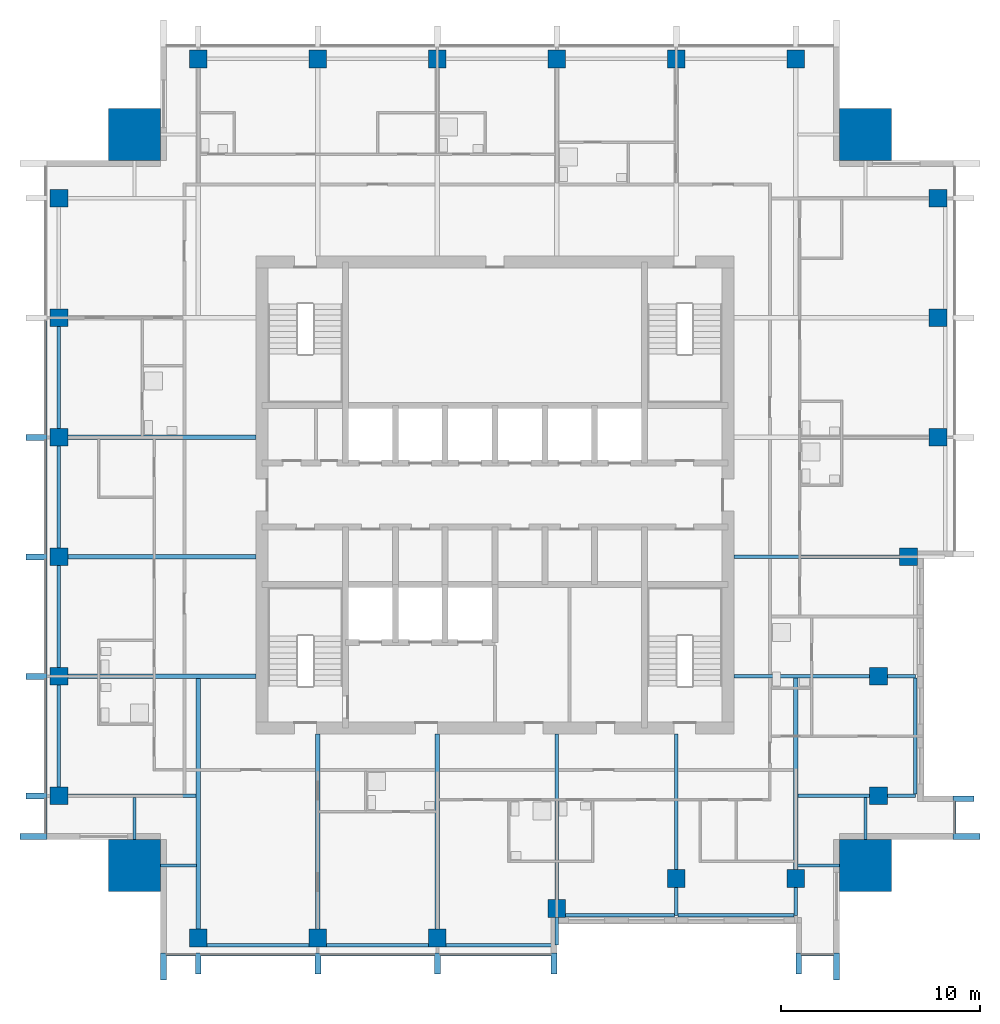
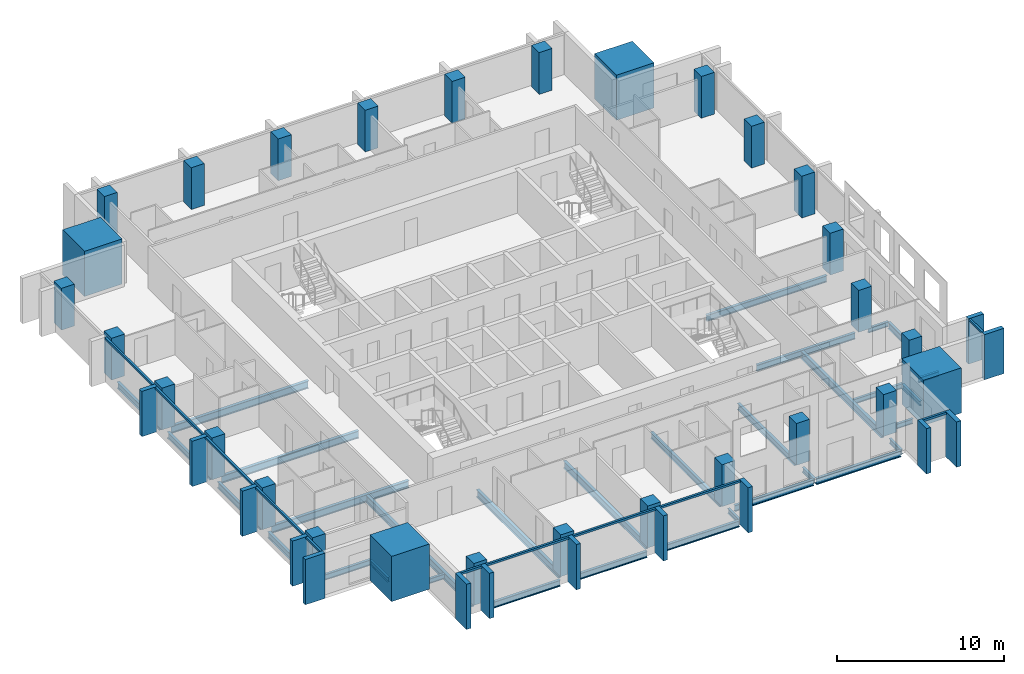
# One storey, part 1 of 11: 32 beams, 28 columns, 25 members, 4 elements without a shape of their own.
"""IFC4 building model written with IfcOpenShell, lengths in metres."""

from ifc_helpers import new_model, si_unit, direction, frame, origin, origin_2d, place, context, subcontext, project, spatial, rectangle, i_section, extrude, material, material_profile, profile_set, type_object, element, aggregate, save


model = new_model("IFC4")

# Units and contexts
model_context = context("Model", 3, precision=1e-05, world=origin(), true_north=direction((0.0, 1.0)))
body_context = subcontext(model_context, "Body", "Model", "MODEL_VIEW")
ifc_project = project(units=[si_unit("LENGTHUNIT", "METRE"), si_unit("AREAUNIT", "SQUARE_METRE"), si_unit("VOLUMEUNIT", "CUBIC_METRE"), si_unit("PLANEANGLEUNIT", "RADIAN"), si_unit("MASSUNIT", "GRAM", prefix="KILO")], contexts=[model_context])

# Site, building, storey
site_placement = place(None, origin())
site = spatial("IfcSite", under=ifc_project, at=site_placement, CompositionType="ELEMENT")
building_placement = place(site_placement, origin())
building = spatial("IfcBuilding", under=site, at=building_placement, Name="Amberfall Residences", CompositionType="ELEMENT")
storey_placement = place(building_placement, frame((0.0, 0.0, 223.300048828125)))
storey = spatial("IfcBuildingStorey", under=building, at=storey_placement, Name="L60", CompositionType="ELEMENT", Elevation=223.300048828125)

# Columns
ifc_material_1 = material(Name="Concrete C55", Category="concrete")
ifc_material_profile_1 = material_profile(ifc_material_1, rectangle(XDim=0.89990234375, YDim=0.89990234375, at=origin_2d()), Name="Column 900 x 900 C55")
ifc_profile_set_1 = profile_set([ifc_material_profile_1], Name="Concrete C55")
column_type_1 = type_object("IfcColumnType", Name="Column 900 x 900 C55", PredefinedType="COLUMN", material=ifc_profile_set_1)
for number, where, z_axis, x_axis, name in (
    (1, (59.60009765625, 23.25, 0.0), (0.0, 0.0, 1.0), (1.0, 0.0, 0.0), "Column C4 L60 S1"),
    (2, (65.60009765625, 23.25, 0.0), (0.0, 0.0, 1.0), (1.0, 0.0, 0.0), "Column C4 L60 S2"),
    (3, (71.60009765625, 23.25, 0.0), (0.0, 0.0, 1.0), (1.0, 0.0, 0.0), "Column C4 L60 S3"),
    (4, (77.60009765625, 24.75, 0.0), (0.0, 0.0, 1.0), (1.0, 0.0, 0.0), "Column C4 L60 S4"),
    (5, (83.60009765625, 26.25, 0.0), (0.0, 0.0, 1.0), (1.0, 0.0, 0.0), "Column C4 L60 S5"),
    (6, (89.60009765625, 26.25, 0.0), (0.0, 0.0, 1.0), (1.0, 0.0, 0.0), "Column C4 L60 S6"),
    (7, (93.75, 30.39990234375, 0.0), (0.0, 0.0, 1.0), (1.0, 0.0, 0.0), "Column C4 L60 E1"),
    (8, (93.75, 36.39990234375, 0.0), (0.0, 0.0, 1.0), (1.0, 0.0, 0.0), "Column C4 L60 E2"),
    (9, (95.25, 42.39990234375, 0.0), (0.0, 0.0, 1.0), (1.0, 0.0, 0.0), "Column C4 L60 E3"),
    (10, (96.75, 48.39990234375, 0.0), (0.0, 0.0, 1.0), (1.0, 0.0, 0.0), "Column C4 L60 E4"),
    (11, (96.75, 54.39990234375, 0.0), (0.0, 0.0, 1.0), (1.0, 0.0, 0.0), "Column C4 L60 E5"),
    (12, (96.75, 60.39990234375, 0.0), (0.0, 0.0, 1.0), (1.0, 0.0, 0.0), "Column C4 L60 E6"),
    (13, (59.60009765625, 67.39990234375, 0.0), (0.0, 0.0, 1.0), (1.0, 0.0, 0.0), "Column C4 L60 N1"),
    (14, (65.60009765625, 67.39990234375, 0.0), (0.0, 0.0, 1.0), (1.0, 0.0, 0.0), "Column C4 L60 N2"),
    (15, (71.60009765625, 67.39990234375, 0.0), (0.0, 0.0, 1.0), (1.0, 0.0, 0.0), "Column C4 L60 N3"),
    (16, (77.60009765625, 67.39990234375, 0.0), (0.0, 0.0, 1.0), (1.0, 0.0, 0.0), "Column C4 L60 N4"),
    (17, (83.60009765625, 67.39990234375, 0.0), (0.0, 0.0, 1.0), (1.0, 0.0, 0.0), "Column C4 L60 N5"),
    (18, (89.60009765625, 67.39990234375, 0.0), (0.0, 0.0, 1.0), (1.0, 0.0, 0.0), "Column C4 L60 N6"),
    (19, (52.60009765625, 30.39990234375, 0.0), (0.0, 0.0, 1.0), (1.0, 0.0, 0.0), "Column C4 L60 W1"),
    (20, (52.60009765625, 36.39990234375, 0.0), (0.0, 0.0, 1.0), (1.0, 0.0, 0.0), "Column C4 L60 W2"),
    (21, (52.60009765625, 42.39990234375, 0.0), (0.0, 0.0, 1.0), (1.0, 0.0, 0.0), "Column C4 L60 W3"),
    (22, (52.60009765625, 48.39990234375, 0.0), (0.0, 0.0, 1.0), (1.0, 0.0, 0.0), "Column C4 L60 W4"),
    (23, (52.60009765625, 54.39990234375, 0.0), (0.0, 0.0, 1.0), (1.0, 0.0, 0.0), "Column C4 L60 W5"),
    (24, (52.60009765625, 60.39990234375, 0.0), (0.0, 0.0, 1.0), (1.0, 0.0, 0.0), "Column C4 L60 W6"),
):
    element("IfcColumn", number, at=place(storey_placement, frame(where, z_axis=z_axis, x_axis=x_axis)), inside=storey, type_object=column_type_1, Name=name, PredefinedType="COLUMN", context=body_context, shape_type="SweptSolid", body=[
        extrude(rectangle(XDim=0.89990234375, YDim=0.89990234375, at=origin_2d()), origin(), (0.0, 0.0, 1.0), 3.050048828125),
    ])
ifc_material_profile_2 = material_profile(ifc_material_1, rectangle(XDim=2.60009765625, YDim=2.60009765625, at=origin_2d()), Name="Mega column 2600 x 2600 C55")
ifc_profile_set_2 = profile_set([ifc_material_profile_2], Name="Concrete C55")
column_type_2 = type_object("IfcColumnType", Name="Mega column 2600 x 2600 C55", PredefinedType="COLUMN", material=ifc_profile_set_2)
for number, where, z_axis, x_axis, name in (
    (25, (56.39990234375, 26.89990234375, 0.0), (0.0, 0.0, 1.0), (1.0, 0.0, 0.0), "Mega column MC8 L60 SW"),
    (26, (93.10009765625, 26.89990234375, 0.0), (0.0, 0.0, 1.0), (1.0, 0.0, 0.0), "Mega column MC8 L60 SE"),
    (27, (93.10009765625, 63.60009765625, 0.0), (0.0, 0.0, 1.0), (1.0, 0.0, 0.0), "Mega column MC8 L60 NE"),
    (28, (56.39990234375, 63.60009765625, 0.0), (0.0, 0.0, 1.0), (1.0, 0.0, 0.0), "Mega column MC8 L60 NW"),
):
    element("IfcColumn", number, at=place(storey_placement, frame(where, z_axis=z_axis, x_axis=x_axis)), inside=storey, type_object=column_type_2, Name=name, PredefinedType="COLUMN", context=body_context, shape_type="SweptSolid", body=[
        extrude(rectangle(XDim=2.60009765625, YDim=2.60009765625, at=origin_2d()), origin(), (0.0, 0.0, 1.0), 3.300048828125),
    ])

# Curtain wall, members
ifc_material_2 = material(Name="Bronze anodised aluminium and glass", Category="aluminium")
curtain_wall_type = type_object("IfcCurtainWallType", Name="Curtain wall CW1 tower unit", PredefinedType="USERDEFINED", material=ifc_material_2)
curtain_wall_1_placement = place(storey_placement, origin())
curtain_wall_1 = element("IfcCurtainWall", 29, at=curtain_wall_1_placement, inside=storey, type_object=curtain_wall_type, Name="Curtain wall L60 S S1", ObjectType="UNITISED CURTAIN WALL", PredefinedType="USERDEFINED")
ifc_material_3 = material(Name="Bronze anodised aluminium", Category="aluminium")
ifc_material_profile_3 = material_profile(ifc_material_3, rectangle(XDim=0.14990234375, YDim=0.14990234375, at=origin_2d()), Name="CW1 transom 150 x 150 bronze")
ifc_profile_set_3 = profile_set([ifc_material_profile_3], Name="Bronze anodised aluminium")
member_type_1 = type_object("IfcMemberType", Name="CW1 transom 150 x 150 bronze", PredefinedType="USERDEFINED", material=ifc_profile_set_3)
member_1_placement = place(storey_placement, frame((58.0, 22.425048828125, 2.974853515625), z_axis=(1.0, 0.0, 0.0), x_axis=(0.0, 1.0, 0.0)))
member_1 = element("IfcMember", 30, at=member_1_placement, type_object=member_type_1, Name="CW1 transom 1.1", ObjectType="TRANSOM", PredefinedType="USERDEFINED", context=body_context, shape_type="SweptSolid", body=[
    extrude(rectangle(XDim=0.14990234375, YDim=0.14990234375, at=origin_2d()), origin(), (0.0, 0.0, 1.0), 1.449951171875),
])
member_2_placement = place(storey_placement, frame((59.75, 22.425048828125, 2.974853515625), z_axis=(1.0, 0.0, 0.0), x_axis=(0.0, 1.0, 0.0)))
member_2 = element("IfcMember", 31, at=member_2_placement, type_object=member_type_1, Name="CW1 transom 2.1", ObjectType="TRANSOM", PredefinedType="USERDEFINED", context=body_context, shape_type="SweptSolid", body=[
    extrude(rectangle(XDim=0.14990234375, YDim=0.14990234375, at=origin_2d()), origin(), (0.0, 0.0, 1.0), 5.699951171875),
])
member_3_placement = place(storey_placement, frame((65.75, 22.425048828125, 2.974853515625), z_axis=(1.0, 0.0, 0.0), x_axis=(0.0, 1.0, 0.0)))
member_3 = element("IfcMember", 32, at=member_3_placement, type_object=member_type_1, Name="CW1 transom 3.1", ObjectType="TRANSOM", PredefinedType="USERDEFINED", context=body_context, shape_type="SweptSolid", body=[
    extrude(rectangle(XDim=0.14990234375, YDim=0.14990234375, at=origin_2d()), origin(), (0.0, 0.0, 1.0), 5.699951171875),
])
member_4_placement = place(storey_placement, frame((71.75, 22.425048828125, 2.974853515625), z_axis=(1.0, 0.0, 0.0), x_axis=(0.0, 1.0, 0.0)))
member_4 = element("IfcMember", 33, at=member_4_placement, type_object=member_type_1, Name="CW1 transom 4.1", ObjectType="TRANSOM", PredefinedType="USERDEFINED", context=body_context, shape_type="SweptSolid", body=[
    extrude(rectangle(XDim=0.14990234375, YDim=0.14990234375, at=origin_2d()), origin(), (0.0, 0.0, 1.0), 5.550048828125),
])

# Curtain wall, member
curtain_wall_2_placement = place(storey_placement, origin())
curtain_wall_2 = element("IfcCurtainWall", 34, at=curtain_wall_2_placement, inside=storey, type_object=curtain_wall_type, Name="Curtain wall L60 S S6", ObjectType="UNITISED CURTAIN WALL", PredefinedType="USERDEFINED")
member_5_placement = place(storey_placement, frame((89.89990234375, 22.425048828125, 2.974853515625), z_axis=(1.0, 0.0, 0.0), x_axis=(0.0, 1.0, 0.0)))
member_5 = element("IfcMember", 35, at=member_5_placement, type_object=member_type_1, Name="CW1 transom 1.1", ObjectType="TRANSOM", PredefinedType="USERDEFINED", context=body_context, shape_type="SweptSolid", body=[
    extrude(rectangle(XDim=0.14990234375, YDim=0.14990234375, at=origin_2d()), origin(), (0.0, 0.0, 1.0), 1.60009765625),
])

curtain_wall_3_placement = place(storey_placement, origin())
curtain_wall_3 = element("IfcCurtainWall", 36, at=curtain_wall_3_placement, inside=storey, type_object=curtain_wall_type, Name="Curtain wall L60 E E1", ObjectType="UNITISED CURTAIN WALL", PredefinedType="USERDEFINED")
member_6_placement = place(storey_placement, frame((97.574951171875, 28.5, 2.974853515625), z_axis=(0.0, 1.0, 0.0), x_axis=(-1.0, 0.0, 0.0)))
member_6 = element("IfcMember", 37, at=member_6_placement, type_object=member_type_1, Name="CW1 transom 1.1", ObjectType="TRANSOM", PredefinedType="USERDEFINED", context=body_context, shape_type="SweptSolid", body=[
    extrude(rectangle(XDim=0.14990234375, YDim=0.14990234375, at=origin_2d()), origin(), (0.0, 0.0, 1.0), 1.60009765625),
])

# Curtain wall, members
curtain_wall_4_placement = place(storey_placement, origin())
curtain_wall_4 = element("IfcCurtainWall", 38, at=curtain_wall_4_placement, inside=storey, type_object=curtain_wall_type, Name="Curtain wall L60 W W1", ObjectType="UNITISED CURTAIN WALL", PredefinedType="USERDEFINED")
member_7_placement = place(storey_placement, frame((51.925048828125, 54.25, 2.974853515625), z_axis=(0.0, -1.0, 0.0), x_axis=(1.0, 0.0, 0.0)))
member_7 = element("IfcMember", 39, at=member_7_placement, type_object=member_type_1, Name="CW1 transom 3.1", ObjectType="TRANSOM", PredefinedType="USERDEFINED", context=body_context, shape_type="SweptSolid", body=[
    extrude(rectangle(XDim=0.14990234375, YDim=0.14990234375, at=origin_2d()), origin(), (0.0, 0.0, 1.0), 5.699951171875),
])
member_8_placement = place(storey_placement, frame((51.925048828125, 48.25, 2.974853515625), z_axis=(0.0, -1.0, 0.0), x_axis=(1.0, 0.0, 0.0)))
member_8 = element("IfcMember", 40, at=member_8_placement, type_object=member_type_1, Name="CW1 transom 4.1", ObjectType="TRANSOM", PredefinedType="USERDEFINED", context=body_context, shape_type="SweptSolid", body=[
    extrude(rectangle(XDim=0.14990234375, YDim=0.14990234375, at=origin_2d()), origin(), (0.0, 0.0, 1.0), 5.699951171875),
])
member_9_placement = place(storey_placement, frame((51.925048828125, 42.25, 2.974853515625), z_axis=(0.0, -1.0, 0.0), x_axis=(1.0, 0.0, 0.0)))
member_9 = element("IfcMember", 41, at=member_9_placement, type_object=member_type_1, Name="CW1 transom 5.1", ObjectType="TRANSOM", PredefinedType="USERDEFINED", context=body_context, shape_type="SweptSolid", body=[
    extrude(rectangle(XDim=0.14990234375, YDim=0.14990234375, at=origin_2d()), origin(), (0.0, 0.0, 1.0), 5.699951171875),
])
member_10_placement = place(storey_placement, frame((51.925048828125, 36.25, 2.974853515625), z_axis=(0.0, -1.0, 0.0), x_axis=(1.0, 0.0, 0.0)))
member_10 = element("IfcMember", 42, at=member_10_placement, type_object=member_type_1, Name="CW1 transom 6.1", ObjectType="TRANSOM", PredefinedType="USERDEFINED", context=body_context, shape_type="SweptSolid", body=[
    extrude(rectangle(XDim=0.14990234375, YDim=0.14990234375, at=origin_2d()), origin(), (0.0, 0.0, 1.0), 5.699951171875),
])
member_11_placement = place(storey_placement, frame((51.925048828125, 30.25, 2.974853515625), z_axis=(0.0, -1.0, 0.0), x_axis=(1.0, 0.0, 0.0)))
member_11 = element("IfcMember", 43, at=member_11_placement, type_object=member_type_1, Name="CW1 transom 7.1", ObjectType="TRANSOM", PredefinedType="USERDEFINED", context=body_context, shape_type="SweptSolid", body=[
    extrude(rectangle(XDim=0.14990234375, YDim=0.14990234375, at=origin_2d()), origin(), (0.0, 0.0, 1.0), 1.75),
])

# Beams
ifc_material_4 = material(Name="Steel S355", Category="steel")
ifc_material_profile_4 = material_profile(ifc_material_4, i_section(OverallWidth=0.171142578125, OverallDepth=0.351318359375, WebThickness=0.007080078125, FlangeThickness=0.009765625, FilletRadius=0.01025390625, at=origin_2d()), Name="UB 356x171x45")
ifc_profile_set_4 = profile_set([ifc_material_profile_4], Name="Steel S355")
beam_type_1 = type_object("IfcBeamType", Name="Cantilever girder UB 356x171x45", PredefinedType="BEAM", material=ifc_profile_set_4)
for number, where, z_axis, x_axis, name in (
    (44, (77.60009765625, 24.300048828125, -0.42578125), (0.0, -1.0, 0.0), (1.0, 0.0, 0.0), "Cantilever girder B8 L60 06"),
    (45, (83.60009765625, 25.800048828125, -0.42578125), (0.0, -1.0, 0.0), (1.0, 0.0, 0.0), "Cantilever girder B8 L60 07"),
    (46, (89.60009765625, 25.800048828125, -0.42578125), (0.0, -1.0, 0.0), (1.0, 0.0, 0.0), "Cantilever girder B8 L60 08"),
    (47, (94.199951171875, 30.39990234375, -0.42578125), (1.0, 0.0, 0.0), (0.0, 1.0, 0.0), "Cantilever girder B8 L60 20"),
    (48, (94.199951171875, 36.39990234375, -0.42578125), (1.0, 0.0, 0.0), (0.0, 1.0, 0.0), "Cantilever girder B8 L60 21"),
):
    element("IfcBeam", number, at=place(storey_placement, frame(where, z_axis=z_axis, x_axis=x_axis)), inside=storey, type_object=beam_type_1, Name=name, PredefinedType="BEAM", context=body_context, shape_type="SweptSolid", body=[
        extrude(i_section(OverallWidth=0.171142578125, OverallDepth=0.351318359375, WebThickness=0.007080078125, FlangeThickness=0.009765625, FilletRadius=0.01025390625, at=origin_2d()), origin(), (0.0, 0.0, 1.0), 1.400146484375),
    ])

# Member
ifc_material_profile_5 = material_profile(ifc_material_3, rectangle(XDim=1.35009765625, YDim=0.300048828125, at=origin_2d()), Name="Corner fin 300 x 1350 bronze")
ifc_profile_set_5 = profile_set([ifc_material_profile_5], Name="Bronze anodised aluminium")
member_type_2 = type_object("IfcMemberType", Name="Corner fin 300 x 1350 bronze", PredefinedType="MULLION", material=ifc_profile_set_5)
member_12_placement = place(storey_placement, frame((57.85009765625, 21.824951171875, -0.25), z_axis=(0.0, 0.0, 1.0), x_axis=(0.0, 1.0, 0.0)))
member_12 = element("IfcMember", 49, at=member_12_placement, type_object=member_type_2, Name="CW FIN 1", PredefinedType="MULLION", context=body_context, shape_type="SweptSolid", body=[
    extrude(rectangle(XDim=1.35009765625, YDim=0.300048828125, at=origin_2d()), origin(), (0.0, 0.0, 1.0), 3.300048828125),
])

member_13_placement = place(storey_placement, frame((91.64990234375, 21.824951171875, -0.25), z_axis=(0.0, 0.0, 1.0), x_axis=(0.0, 1.0, 0.0)))
member_13 = element("IfcMember", 50, at=member_13_placement, type_object=member_type_2, Name="CW FIN 2", PredefinedType="MULLION", context=body_context, shape_type="SweptSolid", body=[
    extrude(rectangle(XDim=1.35009765625, YDim=0.300048828125, at=origin_2d()), origin(), (0.0, 0.0, 1.0), 3.300048828125),
])

member_14_placement = place(storey_placement, frame((98.175048828125, 28.35009765625, -0.25), z_axis=(0.0, 0.0, 1.0), x_axis=(-1.0, 0.0, 0.0)))
member_14 = element("IfcMember", 51, at=member_14_placement, type_object=member_type_2, Name="CW FIN 1", PredefinedType="MULLION", context=body_context, shape_type="SweptSolid", body=[
    extrude(rectangle(XDim=1.35009765625, YDim=0.300048828125, at=origin_2d()), origin(), (0.0, 0.0, 1.0), 3.300048828125),
])

member_15_placement = place(storey_placement, frame((51.324951171875, 28.35009765625, -0.25), z_axis=(0.0, 0.0, 1.0), x_axis=(1.0, 0.0, 0.0)))
member_15 = element("IfcMember", 52, at=member_15_placement, type_object=member_type_2, Name="CW FIN 8", PredefinedType="MULLION", context=body_context, shape_type="SweptSolid", body=[
    extrude(rectangle(XDim=1.35009765625, YDim=0.300048828125, at=origin_2d()), origin(), (0.0, 0.0, 1.0), 3.300048828125),
])

# Beams
ifc_material_profile_6 = material_profile(ifc_material_4, i_section(OverallWidth=0.18994140625, OverallDepth=0.453369140625, WebThickness=0.008544921875, FlangeThickness=0.0126953125, FilletRadius=0.01025390625, at=origin_2d()), Name="UB 457x191x67")
ifc_profile_set_6 = profile_set([ifc_material_profile_6], Name="Steel S355")
beam_type_2 = type_object("IfcBeamType", Name="Edge beam UB 457x191x67", PredefinedType="SPANDREL", material=ifc_profile_set_6)
for number, where, z_axis, x_axis, name in (
    (53, (60.050048828125, 22.89990234375, -0.476806640625), (1.0, 0.0, 0.0), (0.0, 1.0, 0.0), "Edge beam B1 L60 01"),
    (54, (66.050048828125, 22.89990234375, -0.476806640625), (1.0, 0.0, 0.0), (0.0, 1.0, 0.0), "Edge beam B1 L60 02"),
):
    element("IfcBeam", number, at=place(storey_placement, frame(where, z_axis=z_axis, x_axis=x_axis)), inside=storey, type_object=beam_type_2, Name=name, PredefinedType="SPANDREL", context=body_context, shape_type="SweptSolid", body=[
        extrude(i_section(OverallWidth=0.18994140625, OverallDepth=0.453369140625, WebThickness=0.008544921875, FlangeThickness=0.0126953125, FilletRadius=0.01025390625, at=origin_2d()), origin(), (0.0, 0.0, 1.0), 5.099853515625),
    ])
for number, where, z_axis, x_axis, name in (
    (55, (72.050048828125, 22.89990234375, -0.476806640625), (1.0, 0.0, 0.0), (0.0, 1.0, 0.0), "Edge beam B1 L60 03"),
    (56, (78.050048828125, 24.39990234375, -0.476806640625), (1.0, 0.0, 0.0), (0.0, 1.0, 0.0), "Edge beam B1 L60 04"),
):
    element("IfcBeam", number, at=place(storey_placement, frame(where, z_axis=z_axis, x_axis=x_axis)), inside=storey, type_object=beam_type_2, Name=name, PredefinedType="SPANDREL", context=body_context, shape_type="SweptSolid", body=[
        extrude(i_section(OverallWidth=0.18994140625, OverallDepth=0.453369140625, WebThickness=0.008544921875, FlangeThickness=0.0126953125, FilletRadius=0.01025390625, at=origin_2d()), origin(), (0.0, 0.0, 1.0), 5.469970703125),
    ])
for number, where, z_axis, x_axis, name in (
    (57, (83.679931640625, 24.39990234375, -0.476806640625), (1.0, 0.0, 0.0), (0.0, 1.0, 0.0), "Edge beam B1 L60 05"),
    (58, (95.60009765625, 30.47998046875, -0.476806640625), (0.0, 1.0, 0.0), (-1.0, 0.0, 0.0), "Edge beam B1 L60 15"),
):
    element("IfcBeam", number, at=place(storey_placement, frame(where, z_axis=z_axis, x_axis=x_axis)), inside=storey, type_object=beam_type_2, Name=name, PredefinedType="SPANDREL", context=body_context, shape_type="SweptSolid", body=[
        extrude(i_section(OverallWidth=0.18994140625, OverallDepth=0.453369140625, WebThickness=0.008544921875, FlangeThickness=0.0126953125, FilletRadius=0.01025390625, at=origin_2d()), origin(), (0.0, 0.0, 1.0), 5.840087890625),
    ])
for number, where, z_axis, x_axis, name in (
    (59, (52.60009765625, 30.85009765625, -0.476806640625), (0.0, 1.0, 0.0), (-1.0, 0.0, 0.0), "Edge beam B1 L60 40"),
    (60, (52.60009765625, 36.85009765625, -0.476806640625), (0.0, 1.0, 0.0), (-1.0, 0.0, 0.0), "Edge beam B1 L60 41"),
    (61, (52.60009765625, 42.85009765625, -0.476806640625), (0.0, 1.0, 0.0), (-1.0, 0.0, 0.0), "Edge beam B1 L60 42"),
    (62, (52.60009765625, 48.85009765625, -0.476806640625), (0.0, 1.0, 0.0), (-1.0, 0.0, 0.0), "Edge beam B1 L60 43"),
):
    element("IfcBeam", number, at=place(storey_placement, frame(where, z_axis=z_axis, x_axis=x_axis)), inside=storey, type_object=beam_type_2, Name=name, PredefinedType="SPANDREL", context=body_context, shape_type="SweptSolid", body=[
        extrude(i_section(OverallWidth=0.18994140625, OverallDepth=0.453369140625, WebThickness=0.008544921875, FlangeThickness=0.0126953125, FilletRadius=0.01025390625, at=origin_2d()), origin(), (0.0, 0.0, 1.0), 5.099853515625),
    ])

# Member
ifc_material_profile_7 = material_profile(ifc_material_3, rectangle(XDim=1.050048828125, YDim=0.300048828125, at=origin_2d()), Name="Fin 300 x 1050 bronze")
ifc_profile_set_7 = profile_set([ifc_material_profile_7], Name="Bronze anodised aluminium")
member_type_3 = type_object("IfcMemberType", Name="Fin 300 x 1050 bronze", PredefinedType="MULLION", material=ifc_profile_set_7)
member_16_placement = place(storey_placement, frame((59.60009765625, 21.97509765625, -0.25), z_axis=(0.0, 0.0, 1.0), x_axis=(0.0, 1.0, 0.0)))
member_16 = element("IfcMember", 63, at=member_16_placement, type_object=member_type_3, Name="CW FIN 2", PredefinedType="MULLION", context=body_context, shape_type="SweptSolid", body=[
    extrude(rectangle(XDim=1.050048828125, YDim=0.300048828125, at=origin_2d()), origin(), (0.0, 0.0, 1.0), 3.300048828125),
])

member_17_placement = place(storey_placement, frame((65.60009765625, 21.97509765625, -0.25), z_axis=(0.0, 0.0, 1.0), x_axis=(0.0, 1.0, 0.0)))
member_17 = element("IfcMember", 64, at=member_17_placement, type_object=member_type_3, Name="CW FIN 3", PredefinedType="MULLION", context=body_context, shape_type="SweptSolid", body=[
    extrude(rectangle(XDim=1.050048828125, YDim=0.300048828125, at=origin_2d()), origin(), (0.0, 0.0, 1.0), 3.300048828125),
])

member_18_placement = place(storey_placement, frame((71.60009765625, 21.97509765625, -0.25), z_axis=(0.0, 0.0, 1.0), x_axis=(0.0, 1.0, 0.0)))
member_18 = element("IfcMember", 65, at=member_18_placement, type_object=member_type_3, Name="CW FIN 4", PredefinedType="MULLION", context=body_context, shape_type="SweptSolid", body=[
    extrude(rectangle(XDim=1.050048828125, YDim=0.300048828125, at=origin_2d()), origin(), (0.0, 0.0, 1.0), 3.300048828125),
])

member_19_placement = place(storey_placement, frame((77.449951171875, 21.97509765625, -0.25), z_axis=(0.0, 0.0, 1.0), x_axis=(0.0, 1.0, 0.0)))
member_19 = element("IfcMember", 66, at=member_19_placement, type_object=member_type_3, Name="CW FIN 5", PredefinedType="MULLION", context=body_context, shape_type="SweptSolid", body=[
    extrude(rectangle(XDim=1.050048828125, YDim=0.300048828125, at=origin_2d()), origin(), (0.0, 0.0, 1.0), 3.300048828125),
])

aggregate(curtain_wall_1, [member_12, member_16, member_17, member_18, member_19, member_1, member_2, member_3, member_4])

member_20_placement = place(storey_placement, frame((89.75, 21.97509765625, -0.25), z_axis=(0.0, 0.0, 1.0), x_axis=(0.0, 1.0, 0.0)))
member_20 = element("IfcMember", 67, at=member_20_placement, type_object=member_type_3, Name="CW FIN 1", PredefinedType="MULLION", context=body_context, shape_type="SweptSolid", body=[
    extrude(rectangle(XDim=1.050048828125, YDim=0.300048828125, at=origin_2d()), origin(), (0.0, 0.0, 1.0), 3.300048828125),
])

aggregate(curtain_wall_2, [member_20, member_13, member_5])

member_21_placement = place(storey_placement, frame((98.02490234375, 30.25, -0.25), z_axis=(0.0, 0.0, 1.0), x_axis=(-1.0, 0.0, 0.0)))
member_21 = element("IfcMember", 68, at=member_21_placement, type_object=member_type_3, Name="CW FIN 2", PredefinedType="MULLION", context=body_context, shape_type="SweptSolid", body=[
    extrude(rectangle(XDim=1.050048828125, YDim=0.300048828125, at=origin_2d()), origin(), (0.0, 0.0, 1.0), 3.300048828125),
])

aggregate(curtain_wall_3, [member_14, member_21, member_6])

member_22_placement = place(storey_placement, frame((51.47509765625, 48.39990234375, -0.25), z_axis=(0.0, 0.0, 1.0), x_axis=(1.0, 0.0, 0.0)))
member_22 = element("IfcMember", 69, at=member_22_placement, type_object=member_type_3, Name="CW FIN 4", PredefinedType="MULLION", context=body_context, shape_type="SweptSolid", body=[
    extrude(rectangle(XDim=1.050048828125, YDim=0.300048828125, at=origin_2d()), origin(), (0.0, 0.0, 1.0), 3.300048828125),
])

member_23_placement = place(storey_placement, frame((51.47509765625, 42.39990234375, -0.25), z_axis=(0.0, 0.0, 1.0), x_axis=(1.0, 0.0, 0.0)))
member_23 = element("IfcMember", 70, at=member_23_placement, type_object=member_type_3, Name="CW FIN 5", PredefinedType="MULLION", context=body_context, shape_type="SweptSolid", body=[
    extrude(rectangle(XDim=1.050048828125, YDim=0.300048828125, at=origin_2d()), origin(), (0.0, 0.0, 1.0), 3.300048828125),
])

member_24_placement = place(storey_placement, frame((51.47509765625, 36.39990234375, -0.25), z_axis=(0.0, 0.0, 1.0), x_axis=(1.0, 0.0, 0.0)))
member_24 = element("IfcMember", 71, at=member_24_placement, type_object=member_type_3, Name="CW FIN 6", PredefinedType="MULLION", context=body_context, shape_type="SweptSolid", body=[
    extrude(rectangle(XDim=1.050048828125, YDim=0.300048828125, at=origin_2d()), origin(), (0.0, 0.0, 1.0), 3.300048828125),
])

member_25_placement = place(storey_placement, frame((51.47509765625, 30.39990234375, -0.25), z_axis=(0.0, 0.0, 1.0), x_axis=(1.0, 0.0, 0.0)))
member_25 = element("IfcMember", 72, at=member_25_placement, type_object=member_type_3, Name="CW FIN 7", PredefinedType="MULLION", context=body_context, shape_type="SweptSolid", body=[
    extrude(rectangle(XDim=1.050048828125, YDim=0.300048828125, at=origin_2d()), origin(), (0.0, 0.0, 1.0), 3.300048828125),
])

aggregate(curtain_wall_4, [member_22, member_23, member_24, member_25, member_15, member_7, member_8, member_9, member_10, member_11])

# Beams
ifc_material_profile_8 = material_profile(ifc_material_4, i_section(OverallWidth=0.171142578125, OverallDepth=0.351318359375, WebThickness=0.007080078125, FlangeThickness=0.009765625, FilletRadius=0.01025390625, at=origin_2d()), Name="UB 356x171x45")
ifc_profile_set_8 = profile_set([ifc_material_profile_8], Name="Steel S355")
beam_type_3 = type_object("IfcBeamType", Name="Floor girder UB 356x171x45", PredefinedType="BEAM", material=ifc_profile_set_8)
beam_1_placement = place(storey_placement, frame((93.300048828125, 30.39990234375, -0.42578125), z_axis=(-1.0, 0.0, 0.0), x_axis=(0.0, -1.0, 0.0)))
element("IfcBeam", 73, at=beam_1_placement, inside=storey, type_object=beam_type_3, Name="Floor girder B11 L60 23", PredefinedType="BEAM", context=body_context, shape_type="SweptSolid", body=[
    extrude(i_section(OverallWidth=0.171142578125, OverallDepth=0.351318359375, WebThickness=0.007080078125, FlangeThickness=0.009765625, FilletRadius=0.01025390625, at=origin_2d()), origin(), (0.0, 0.0, 1.0), 3.580078125),
])
ifc_material_profile_9 = material_profile(ifc_material_4, i_section(OverallWidth=0.177734375, OverallDepth=0.402587890625, WebThickness=0.0078125, FlangeThickness=0.010986328125, FilletRadius=0.01025390625, at=origin_2d()), Name="UB 406x178x54")
ifc_profile_set_9 = profile_set([ifc_material_profile_9], Name="Steel S355")
beam_type_4 = type_object("IfcBeamType", Name="Floor girder UB 406x178x54", PredefinedType="BEAM", material=ifc_profile_set_9)
beam_2_placement = place(storey_placement, frame((53.050048828125, 30.39990234375, -0.451416015625), z_axis=(1.0, 0.0, 0.0), x_axis=(0.0, 1.0, 0.0)))
element("IfcBeam", 74, at=beam_2_placement, inside=storey, type_object=beam_type_4, Name="Floor girder B4 L60 45", PredefinedType="BEAM", context=body_context, shape_type="SweptSolid", body=[
    extrude(i_section(OverallWidth=0.177734375, OverallDepth=0.402587890625, WebThickness=0.0078125, FlangeThickness=0.010986328125, FilletRadius=0.01025390625, at=origin_2d()), origin(), (0.0, 0.0, 1.0), 6.429931640625),
])
ifc_material_profile_10 = material_profile(ifc_material_4, i_section(OverallWidth=0.19140625, OverallDepth=0.4599609375, WebThickness=0.010009765625, FlangeThickness=0.01611328125, FilletRadius=0.01025390625, at=origin_2d()), Name="UB 457x191x82")
ifc_profile_set_10 = profile_set([ifc_material_profile_10], Name="Steel S355")
beam_type_5 = type_object("IfcBeamType", Name="Floor girder UB 457x191x82", PredefinedType="BEAM", material=ifc_profile_set_10)
beam_3_placement = place(storey_placement, frame((77.60009765625, 25.199951171875, -0.47998046875), z_axis=(0.0, 1.0, 0.0), x_axis=(-1.0, 0.0, 0.0)))
element("IfcBeam", 75, at=beam_3_placement, inside=storey, type_object=beam_type_5, Name="Floor girder B10 L60 12", PredefinedType="BEAM", context=body_context, shape_type="SweptSolid", body=[
    extrude(i_section(OverallWidth=0.19140625, OverallDepth=0.4599609375, WebThickness=0.010009765625, FlangeThickness=0.01611328125, FilletRadius=0.01025390625, at=origin_2d()), origin(), (0.0, 0.0, 1.0), 8.300048828125),
])
for number, where, z_axis, x_axis, name in (
    (76, (83.60009765625, 26.699951171875, -0.47998046875), (0.0, 1.0, 0.0), (-1.0, 0.0, 0.0), "Floor girder B10 L60 13"),
    (77, (93.300048828125, 36.39990234375, -0.47998046875), (-1.0, 0.0, 0.0), (0.0, -1.0, 0.0), "Floor girder B10 L60 24"),
):
    element("IfcBeam", number, at=place(storey_placement, frame(where, z_axis=z_axis, x_axis=x_axis)), inside=storey, type_object=beam_type_5, Name=name, PredefinedType="BEAM", context=body_context, shape_type="SweptSolid", body=[
        extrude(i_section(OverallWidth=0.19140625, OverallDepth=0.4599609375, WebThickness=0.010009765625, FlangeThickness=0.01611328125, FilletRadius=0.01025390625, at=origin_2d()), origin(), (0.0, 0.0, 1.0), 6.800048828125),
    ])
beam_4_placement = place(storey_placement, frame((94.800048828125, 42.39990234375, -0.47998046875), z_axis=(-1.0, 0.0, 0.0), x_axis=(0.0, -1.0, 0.0)))
element("IfcBeam", 78, at=beam_4_placement, inside=storey, type_object=beam_type_5, Name="Floor girder B10 L60 25", PredefinedType="BEAM", context=body_context, shape_type="SweptSolid", body=[
    extrude(i_section(OverallWidth=0.19140625, OverallDepth=0.4599609375, WebThickness=0.010009765625, FlangeThickness=0.01611328125, FilletRadius=0.01025390625, at=origin_2d()), origin(), (0.0, 0.0, 1.0), 8.300048828125),
])
ifc_material_profile_11 = material_profile(ifc_material_4, i_section(OverallWidth=0.210693359375, OverallDepth=0.53955078125, WebThickness=0.01171875, FlangeThickness=0.018798828125, FilletRadius=0.0126953125, at=origin_2d()), Name="UB 533x210x109")
ifc_profile_set_11 = profile_set([ifc_material_profile_11], Name="Steel S355")
beam_type_6 = type_object("IfcBeamType", Name="Floor girder UB 533x210x109", PredefinedType="BEAM", material=ifc_profile_set_11)
beam_5_placement = place(storey_placement, frame((59.60009765625, 23.699951171875, -0.519775390625), z_axis=(0.0, 1.0, 0.0), x_axis=(-1.0, 0.0, 0.0)))
element("IfcBeam", 79, at=beam_5_placement, inside=storey, type_object=beam_type_6, Name="Floor girder B2 L60 09", PredefinedType="BEAM", context=body_context, shape_type="SweptSolid", body=[
    extrude(i_section(OverallWidth=0.210693359375, OverallDepth=0.53955078125, WebThickness=0.01171875, FlangeThickness=0.018798828125, FilletRadius=0.0126953125, at=origin_2d()), origin(), (0.0, 0.0, 1.0), 12.600341796875),
])
ifc_material_profile_12 = material_profile(ifc_material_4, i_section(OverallWidth=0.209228515625, OverallDepth=0.533203125, WebThickness=0.010009765625, FlangeThickness=0.015625, FilletRadius=0.0126953125, at=origin_2d()), Name="UB 533x210x92")
ifc_profile_set_12 = profile_set([ifc_material_profile_12], Name="Steel S355")
beam_type_7 = type_object("IfcBeamType", Name="Floor girder UB 533x210x92", PredefinedType="BEAM", material=ifc_profile_set_12)
for number, where, z_axis, x_axis, name in (
    (80, (65.60009765625, 23.699951171875, -0.5166015625), (0.0, 1.0, 0.0), (-1.0, 0.0, 0.0), "Floor girder B3 L60 10"),
    (81, (71.60009765625, 23.699951171875, -0.5166015625), (0.0, 1.0, 0.0), (-1.0, 0.0, 0.0), "Floor girder B3 L60 11"),
):
    element("IfcBeam", number, at=place(storey_placement, frame(where, z_axis=z_axis, x_axis=x_axis)), inside=storey, type_object=beam_type_7, Name=name, PredefinedType="BEAM", context=body_context, shape_type="SweptSolid", body=[
        extrude(i_section(OverallWidth=0.209228515625, OverallDepth=0.533203125, WebThickness=0.010009765625, FlangeThickness=0.015625, FilletRadius=0.0126953125, at=origin_2d()), origin(), (0.0, 0.0, 1.0), 9.800048828125),
    ])
beam_6_placement = place(storey_placement, frame((89.60009765625, 26.699951171875, -0.5166015625), z_axis=(0.0, 1.0, 0.0), x_axis=(-1.0, 0.0, 0.0)))
element("IfcBeam", 82, at=beam_6_placement, inside=storey, type_object=beam_type_7, Name="Floor girder B3 L60 14", PredefinedType="BEAM", context=body_context, shape_type="SweptSolid", body=[
    extrude(i_section(OverallWidth=0.209228515625, OverallDepth=0.533203125, WebThickness=0.010009765625, FlangeThickness=0.015625, FilletRadius=0.0126953125, at=origin_2d()), origin(), (0.0, 0.0, 1.0), 9.609375),
])
for number, where, z_axis, x_axis, name in (
    (83, (53.050048828125, 36.39990234375, -0.5166015625), (1.0, 0.0, 0.0), (0.0, 1.0, 0.0), "Floor girder B3 L60 46"),
    (84, (53.050048828125, 42.39990234375, -0.5166015625), (1.0, 0.0, 0.0), (0.0, 1.0, 0.0), "Floor girder B3 L60 47"),
    (85, (53.050048828125, 48.39990234375, -0.5166015625), (1.0, 0.0, 0.0), (0.0, 1.0, 0.0), "Floor girder B3 L60 48"),
):
    element("IfcBeam", number, at=place(storey_placement, frame(where, z_axis=z_axis, x_axis=x_axis)), inside=storey, type_object=beam_type_7, Name=name, PredefinedType="BEAM", context=body_context, shape_type="SweptSolid", body=[
        extrude(i_section(OverallWidth=0.209228515625, OverallDepth=0.533203125, WebThickness=0.010009765625, FlangeThickness=0.015625, FilletRadius=0.0126953125, at=origin_2d()), origin(), (0.0, 0.0, 1.0), 9.449951171875),
    ])
ifc_material_profile_13 = material_profile(ifc_material_4, i_section(OverallWidth=0.171142578125, OverallDepth=0.351318359375, WebThickness=0.007080078125, FlangeThickness=0.009765625, FilletRadius=0.01025390625, at=origin_2d()), Name="UB 356x171x45")
ifc_profile_set_13 = profile_set([ifc_material_profile_13], Name="Steel S355")
beam_type_8 = type_object("IfcBeamType", Name="Link beam UB 356x171x45", PredefinedType="BEAM", material=ifc_profile_set_13)
beam_7_placement = place(storey_placement, frame((57.699951171875, 26.89990234375, -0.42578125), z_axis=(1.0, 0.0, 0.0), x_axis=(0.0, 1.0, 0.0)))
element("IfcBeam", 86, at=beam_7_placement, inside=storey, type_object=beam_type_8, Name="Link beam B7 L60 51", PredefinedType="BEAM", context=body_context, shape_type="SweptSolid", body=[
    extrude(i_section(OverallWidth=0.171142578125, OverallDepth=0.351318359375, WebThickness=0.007080078125, FlangeThickness=0.009765625, FilletRadius=0.01025390625, at=origin_2d()), origin(), (0.0, 0.0, 1.0), 1.8046875),
])
beam_8_placement = place(storey_placement, frame((56.39990234375, 28.199951171875, -0.42578125), z_axis=(0.0, 1.0, 0.0), x_axis=(-1.0, 0.0, 0.0)))
element("IfcBeam", 87, at=beam_8_placement, inside=storey, type_object=beam_type_8, Name="Link beam B7 L60 52", PredefinedType="BEAM", context=body_context, shape_type="SweptSolid", body=[
    extrude(i_section(OverallWidth=0.171142578125, OverallDepth=0.351318359375, WebThickness=0.007080078125, FlangeThickness=0.009765625, FilletRadius=0.01025390625, at=origin_2d()), origin(), (0.0, 0.0, 1.0), 2.121337890625),
])
beam_9_placement = place(storey_placement, frame((91.800048828125, 26.89990234375, -0.42578125), z_axis=(-1.0, 0.0, 0.0), x_axis=(0.0, -1.0, 0.0)))
element("IfcBeam", 88, at=beam_9_placement, inside=storey, type_object=beam_type_8, Name="Link beam B7 L60 53", PredefinedType="BEAM", context=body_context, shape_type="SweptSolid", body=[
    extrude(i_section(OverallWidth=0.171142578125, OverallDepth=0.351318359375, WebThickness=0.007080078125, FlangeThickness=0.009765625, FilletRadius=0.01025390625, at=origin_2d()), origin(), (0.0, 0.0, 1.0), 2.10546875),
])
beam_10_placement = place(storey_placement, frame((93.10009765625, 28.199951171875, -0.42578125), z_axis=(0.0, 1.0, 0.0), x_axis=(-1.0, 0.0, 0.0)))
element("IfcBeam", 89, at=beam_10_placement, inside=storey, type_object=beam_type_8, Name="Link beam B7 L60 54", PredefinedType="BEAM", context=body_context, shape_type="SweptSolid", body=[
    extrude(i_section(OverallWidth=0.171142578125, OverallDepth=0.351318359375, WebThickness=0.007080078125, FlangeThickness=0.009765625, FilletRadius=0.01025390625, at=origin_2d()), origin(), (0.0, 0.0, 1.0), 2.12451171875),
])

save(model, "model.ifc")
